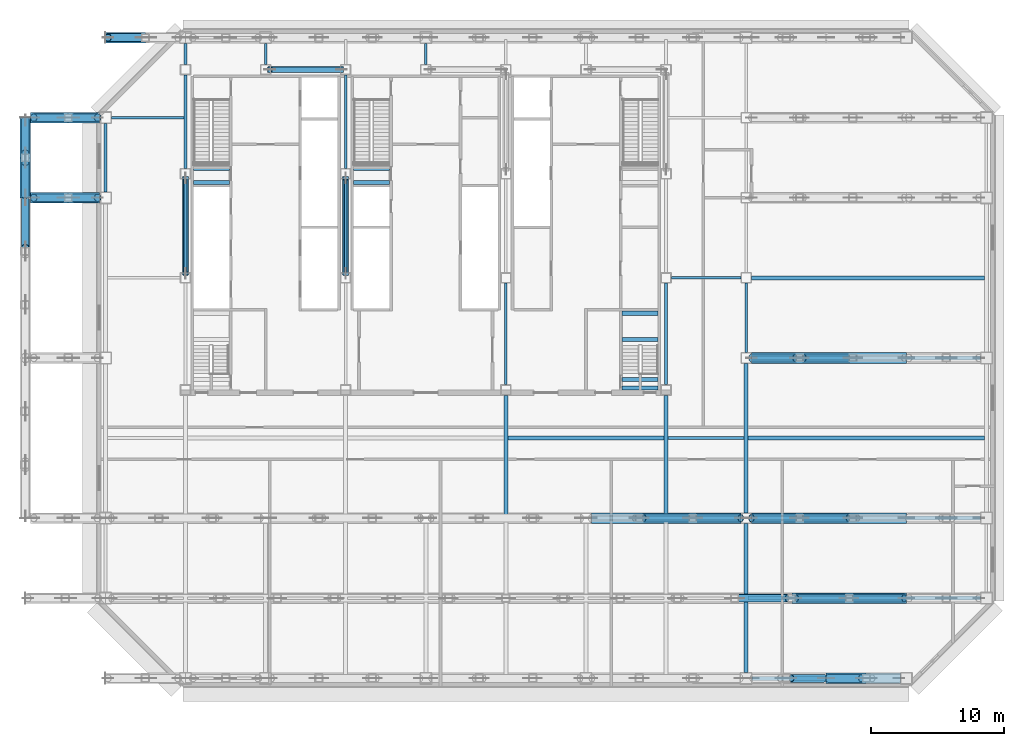
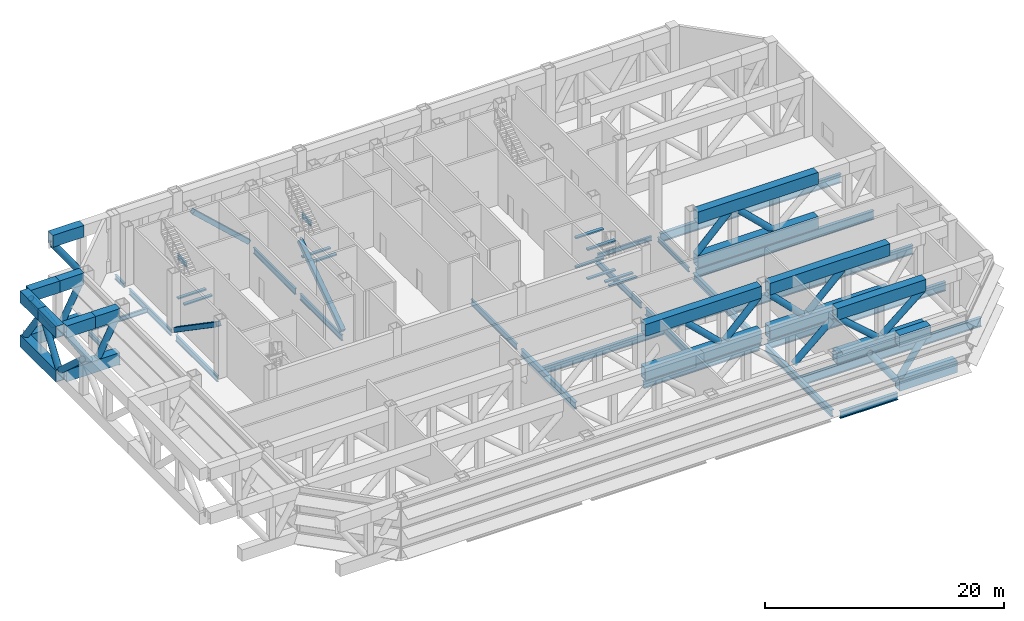
# One storey, part 3 of 17: 56 beams, 22 members.
"""IFC4 building model written with IfcOpenShell, lengths in metres."""

from ifc_helpers import new_model, si_unit, direction, frame, origin, origin_2d, place, context, subcontext, project, spatial, rectangle, hollow_rectangle, hollow_circle, i_section, extrude, material, material_profile, profile_set, type_object, element, save


model = new_model("IFC4")

# Units and contexts
model_context = context("Model", 3, precision=1e-05, world=origin(), true_north=direction((0.0, 1.0)))
body_context = subcontext(model_context, "Body", "Model", "MODEL_VIEW")
ifc_project = project(units=[si_unit("LENGTHUNIT", "METRE"), si_unit("AREAUNIT", "SQUARE_METRE"), si_unit("VOLUMEUNIT", "CUBIC_METRE"), si_unit("PLANEANGLEUNIT", "RADIAN"), si_unit("MASSUNIT", "GRAM", prefix="KILO")], contexts=[model_context])

# Site, building, storey
site_placement = place(None, origin())
site = spatial("IfcSite", under=ifc_project, at=site_placement, CompositionType="ELEMENT")
building_placement = place(site_placement, origin())
building = spatial("IfcBuilding", under=site, at=building_placement, Name="Sorahane Residences", CompositionType="ELEMENT")
storey_placement = place(building_placement, frame((0.0, 0.0, 90.199951171875)))
storey = spatial("IfcBuildingStorey", under=building, at=storey_placement, Name="L19", CompositionType="ELEMENT", Elevation=90.199951171875)

# Members
ifc_material_1 = material(Name="Steel Q355B", Category="steel")
ifc_material_profile_1 = material_profile(ifc_material_1, hollow_rectangle(XDim=0.449951171875, YDim=0.449951171875, WallThickness=0.02197265625, InnerFilletRadius=0.010986328125, OuterFilletRadius=0.032958984375, at=origin_2d()), Name="RHS 450x450x22")
ifc_profile_set_1 = profile_set([ifc_material_profile_1], Name="Steel Q355B")
member_type_1 = type_object("IfcMemberType", Name="Core brace RHS 450x450x22 Q355B", PredefinedType="BRACE", material=ifc_profile_set_1)
member_1_placement = place(storey_placement, frame((17.691650390625, 45.60009765625, 0.140625), z_axis=(-0.734817498487, 0.0, 0.678264877402), x_axis=(0.0, -1.0, 0.0)))
element("IfcMember", 1, at=member_1_placement, inside=storey, type_object=member_type_1, Name="Core brace L19 y45.6-2", PredefinedType="BRACE", context=body_context, shape_type="SweptSolid", body=[
    extrude(hollow_rectangle(XDim=0.449951171875, YDim=0.449951171875, WallThickness=0.02197265625, InnerFilletRadius=0.010986328125, OuterFilletRadius=0.032958984375, at=origin_2d()), origin(), (0.0, 0.0, 1.0), 7.325927734375),
])
for number, where, z_axis, x_axis, name in (
    (2, (6.0, 37.476318359375, 0.172607421875), (0.0, -0.824720598909, 0.565540390896), (1.0, 0.0, 0.0), "Core brace L19 x6-2"),
    (3, (18.0, 30.32373046875, 0.172607421875), (0.0, 0.824720598909, 0.565540390896), (-1.0, 0.0, 0.0), "Core brace L19 x18-1"),
):
    element("IfcMember", number, at=place(storey_placement, frame(where, z_axis=z_axis, x_axis=x_axis)), inside=storey, type_object=member_type_1, Name=name, PredefinedType="BRACE", context=body_context, shape_type="SweptSolid", body=[
        extrude(hollow_rectangle(XDim=0.449951171875, YDim=0.449951171875, WallThickness=0.02197265625, InnerFilletRadius=0.010986328125, OuterFilletRadius=0.032958984375, at=origin_2d()), origin(), (0.0, 0.0, 1.0), 8.6728515625),
    ])

# Beams
ifc_material_2 = material(Name="Concrete C40", Category="concrete")
ifc_material_profile_2 = material_profile(ifc_material_2, rectangle(XDim=0.300048828125, YDim=0.139892578125, at=origin_2d()), Name="300x140")
ifc_profile_set_2 = profile_set([ifc_material_profile_2], Name="Concrete C40")
beam_type_1 = type_object("IfcBeamType", Name="RC landing beam 300 x 140 Concrete C40", PredefinedType="BEAM", material=ifc_profile_set_2)
for number, where, z_axis, x_axis, name in (
    (4, (6.60009765625, 37.14990234375, 2.72998046875), (1.0, 0.0, 0.0), (0.0, 1.0, 0.0), "Landing beam"),
    (5, (6.60009765625, 38.18994140625, 2.72998046875), (1.0, 0.0, 0.0), (0.0, 1.0, 0.0), "Landing beam"),
    (6, (18.60009765625, 37.14990234375, 2.72998046875), (1.0, 0.0, 0.0), (0.0, 1.0, 0.0), "Landing beam"),
    (7, (18.60009765625, 38.18994140625, 2.72998046875), (1.0, 0.0, 0.0), (0.0, 1.0, 0.0), "Landing beam"),
    (8, (38.699951171875, 25.3798828125, 1.22998046875), (1.0, 0.0, 0.0), (0.0, 1.0, 0.0), "Landing beam"),
    (9, (38.699951171875, 27.35009765625, 1.22998046875), (1.0, 0.0, 0.0), (0.0, 1.0, 0.0), "Landing beam"),
    (10, (38.699951171875, 21.75, 2.72998046875), (1.0, 0.0, 0.0), (0.0, 1.0, 0.0), "Landing beam"),
    (11, (38.699951171875, 22.39990234375, 2.72998046875), (1.0, 0.0, 0.0), (0.0, 1.0, 0.0), "Landing beam"),
    (12, (38.699951171875, 25.3798828125, 4.22998046875), (1.0, 0.0, 0.0), (0.0, 1.0, 0.0), "Landing beam"),
    (13, (38.699951171875, 27.35009765625, 4.22998046875), (1.0, 0.0, 0.0), (0.0, 1.0, 0.0), "Landing beam"),
):
    element("IfcBeam", number, at=place(storey_placement, frame(where, z_axis=z_axis, x_axis=x_axis)), inside=storey, type_object=beam_type_1, Name=name, PredefinedType="BEAM", context=body_context, shape_type="SweptSolid", body=[
        extrude(rectangle(XDim=0.300048828125, YDim=0.139892578125, at=origin_2d()), origin(), (0.0, 0.0, 1.0), 2.699951171875),
    ])
ifc_material_3 = material(Name="Steel Q355B", Category="steel")
ifc_material_profile_3 = material_profile(ifc_material_3, i_section(OverallWidth=0.199951171875, OverallDepth=0.449951171875, WebThickness=0.009033203125, FlangeThickness=0.013916015625, FilletRadius=0.02001953125, at=origin_2d()), Name="HN 450x200x9x14")
ifc_profile_set_3 = profile_set([ifc_material_profile_3], Name="Steel Q355B")
beam_type_2 = type_object("IfcBeamType", Name="Steel floor beam HN 450x200x9x14 Q355B", PredefinedType="BEAM", material=ifc_profile_set_3)
beam_1_placement = place(storey_placement, frame((0.0, 36.449951171875, -0.52490234375), z_axis=(0.0, 1.0, 0.0), x_axis=(-1.0, 0.0, 0.0)))
element("IfcBeam", 14, at=beam_1_placement, inside=storey, type_object=beam_type_2, Name="Beam L19 020", PredefinedType="BEAM", context=body_context, shape_type="SweptSolid", body=[
    extrude(i_section(OverallWidth=0.199951171875, OverallDepth=0.449951171875, WebThickness=0.009033203125, FlangeThickness=0.013916015625, FilletRadius=0.02001953125, at=origin_2d()), origin(), (0.0, 0.0, 1.0), 5.10009765625),
])
for number, where, z_axis, x_axis, name in (
    (15, (6.0, 46.0, -0.52490234375), (0.0, 1.0, 0.0), (-1.0, 0.0, 0.0), "Beam L19 026"),
    (16, (12.0, 46.0, -0.52490234375), (0.0, 1.0, 0.0), (-1.0, 0.0, 0.0), "Beam L19 028"),
    (17, (24.0, 46.0, -0.52490234375), (0.0, 1.0, 0.0), (-1.0, 0.0, 0.0), "Beam L19 036"),
):
    element("IfcBeam", number, at=place(storey_placement, frame(where, z_axis=z_axis, x_axis=x_axis)), inside=storey, type_object=beam_type_2, Name=name, PredefinedType="BEAM", context=body_context, shape_type="SweptSolid", body=[
        extrude(i_section(OverallWidth=0.199951171875, OverallDepth=0.449951171875, WebThickness=0.009033203125, FlangeThickness=0.013916015625, FilletRadius=0.02001953125, at=origin_2d()), origin(), (0.0, 0.0, 1.0), 1.550048828125),
    ])
beam_2_placement = place(storey_placement, frame((48.0, 24.39990234375, -0.52490234375), z_axis=(0.0, 1.0, 0.0), x_axis=(-1.0, 0.0, 0.0)))
element("IfcBeam", 18, at=beam_2_placement, inside=storey, type_object=beam_type_2, Name="Beam L19 053", PredefinedType="BEAM", context=body_context, shape_type="SweptSolid", body=[
    extrude(i_section(OverallWidth=0.199951171875, OverallDepth=0.449951171875, WebThickness=0.009033203125, FlangeThickness=0.013916015625, FilletRadius=0.02001953125, at=origin_2d()), origin(), (0.0, 0.0, 1.0), 5.2001953125),
])
beam_3_placement = place(storey_placement, frame((42.14990234375, 18.0, -0.52490234375), z_axis=(1.0, 0.0, 0.0), x_axis=(0.0, 1.0, 0.0)))
element("IfcBeam", 19, at=beam_3_placement, inside=storey, type_object=beam_type_2, Name="Beam L19 074", PredefinedType="BEAM", context=body_context, shape_type="SweptSolid", body=[
    extrude(i_section(OverallWidth=0.199951171875, OverallDepth=0.449951171875, WebThickness=0.009033203125, FlangeThickness=0.013916015625, FilletRadius=0.02001953125, at=origin_2d()), origin(), (0.0, 0.0, 1.0), 5.7001953125),
])
beam_4_placement = place(storey_placement, frame((42.39990234375, 30.0, -0.52490234375), z_axis=(1.0, 0.0, 0.0), x_axis=(0.0, 1.0, 0.0)))
element("IfcBeam", 20, at=beam_4_placement, inside=storey, type_object=beam_type_2, Name="Beam L19 077", PredefinedType="BEAM", context=body_context, shape_type="SweptSolid", body=[
    extrude(i_section(OverallWidth=0.199951171875, OverallDepth=0.449951171875, WebThickness=0.009033203125, FlangeThickness=0.013916015625, FilletRadius=0.02001953125, at=origin_2d()), origin(), (0.0, 0.0, 1.0), 5.2001953125),
])
beam_5_placement = place(storey_placement, frame((0.449951171875, 42.0, -0.52490234375), z_axis=(1.0, 0.0, 0.0), x_axis=(0.0, 1.0, 0.0)))
element("IfcBeam", 21, at=beam_5_placement, inside=storey, type_object=beam_type_2, Name="Beam L19 079", PredefinedType="BEAM", context=body_context, shape_type="SweptSolid", body=[
    extrude(i_section(OverallWidth=0.199951171875, OverallDepth=0.449951171875, WebThickness=0.009033203125, FlangeThickness=0.013916015625, FilletRadius=0.02001953125, at=origin_2d()), origin(), (0.0, 0.0, 1.0), 5.449951171875),
])
ifc_material_4 = material(Name="Steel Q355B", Category="steel")
ifc_material_profile_4 = material_profile(ifc_material_4, i_section(OverallWidth=0.199951171875, OverallDepth=0.60009765625, WebThickness=0.010986328125, FlangeThickness=0.01708984375, FilletRadius=0.02392578125, at=origin_2d()), Name="HN 600x200x11x17")
ifc_profile_set_4 = profile_set([ifc_material_profile_4], Name="Steel Q355B")
beam_type_3 = type_object("IfcBeamType", Name="Steel floor beam HN 600x200x11x17 Q355B", PredefinedType="BEAM", material=ifc_profile_set_4)
for number, where, z_axis, x_axis, name in (
    (22, (6.0, 30.39990234375, -0.599853515625), (0.0, 1.0, 0.0), (-1.0, 0.0, 0.0), "Beam L19 024"),
    (23, (6.0, 38.199951171875, -0.599853515625), (0.0, 1.0, 0.0), (-1.0, 0.0, 0.0), "Beam L19 025"),
    (24, (18.0, 30.39990234375, -0.599853515625), (0.0, 1.0, 0.0), (-1.0, 0.0, 0.0), "Beam L19 032"),
    (25, (18.0, 38.199951171875, -0.599853515625), (0.0, 1.0, 0.0), (-1.0, 0.0, 0.0), "Beam L19 033"),
):
    element("IfcBeam", number, at=place(storey_placement, frame(where, z_axis=z_axis, x_axis=x_axis)), inside=storey, type_object=beam_type_3, Name=name, PredefinedType="BEAM", context=body_context, shape_type="SweptSolid", body=[
        extrude(i_section(OverallWidth=0.199951171875, OverallDepth=0.60009765625, WebThickness=0.010986328125, FlangeThickness=0.01708984375, FilletRadius=0.02392578125, at=origin_2d()), origin(), (0.0, 0.0, 1.0), 7.0),
    ])
for number, where, z_axis, x_axis, name in (
    (26, (30.0, 22.0, -0.599853515625), (0.0, 1.0, 0.0), (-1.0, 0.0, 0.0), "Beam L19 039"),
    (27, (42.0, 22.0, -0.599853515625), (0.0, 1.0, 0.0), (-1.0, 0.0, 0.0), "Beam L19 047"),
):
    element("IfcBeam", number, at=place(storey_placement, frame(where, z_axis=z_axis, x_axis=x_axis)), inside=storey, type_object=beam_type_3, Name=name, PredefinedType="BEAM", context=body_context, shape_type="SweptSolid", body=[
        extrude(i_section(OverallWidth=0.199951171875, OverallDepth=0.60009765625, WebThickness=0.010986328125, FlangeThickness=0.01708984375, FilletRadius=0.02392578125, at=origin_2d()), origin(), (0.0, 0.0, 1.0), 7.60009765625),
    ])
ifc_material_5 = material(Name="Steel Q355B", Category="steel")
ifc_material_profile_5 = material_profile(ifc_material_5, i_section(OverallWidth=0.300048828125, OverallDepth=0.699951171875, WebThickness=0.012939453125, FlangeThickness=0.02392578125, FilletRadius=0.028076171875, at=origin_2d()), Name="HN 700x300x13x24")
ifc_profile_set_5 = profile_set([ifc_material_profile_5], Name="Steel Q355B")
beam_type_4 = type_object("IfcBeamType", Name="Steel floor beam HN 700x300x13x24 Q355B", PredefinedType="BEAM", material=ifc_profile_set_5)
beam_6_placement = place(storey_placement, frame((48.449951171875, 0.0, -0.64990234375), z_axis=(1.0, 0.0, 0.0), x_axis=(0.0, 1.0, 0.0)))
element("IfcBeam", 28, at=beam_6_placement, inside=storey, type_object=beam_type_4, Name="Beam L19 004", PredefinedType="BEAM", context=body_context, shape_type="SweptSolid", body=[
    extrude(i_section(OverallWidth=0.300048828125, OverallDepth=0.699951171875, WebThickness=0.012939453125, FlangeThickness=0.02392578125, FilletRadius=0.028076171875, at=origin_2d()), origin(), (0.0, 0.0, 1.0), 5.550048828125),
])
beam_7_placement = place(storey_placement, frame((36.39990234375, 12.0, -0.64990234375), z_axis=(1.0, 0.0, 0.0), x_axis=(0.0, 1.0, 0.0)))
element("IfcBeam", 29, at=beam_7_placement, inside=storey, type_object=beam_type_4, Name="Beam L19 008", PredefinedType="BEAM", context=body_context, shape_type="SweptSolid", body=[
    extrude(i_section(OverallWidth=0.300048828125, OverallDepth=0.699951171875, WebThickness=0.012939453125, FlangeThickness=0.02392578125, FilletRadius=0.028076171875, at=origin_2d()), origin(), (0.0, 0.0, 1.0), 11.2001953125),
])
for number, where, z_axis, x_axis, name in (
    (30, (30.0, 12.14990234375, -0.64990234375), (0.0, 1.0, 0.0), (-1.0, 0.0, 0.0), "Beam L19 038"),
    (31, (42.0, 12.14990234375, -0.64990234375), (0.0, 1.0, 0.0), (-1.0, 0.0, 0.0), "Beam L19 046"),
):
    element("IfcBeam", number, at=place(storey_placement, frame(where, z_axis=z_axis, x_axis=x_axis)), inside=storey, type_object=beam_type_4, Name=name, PredefinedType="BEAM", context=body_context, shape_type="SweptSolid", body=[
        extrude(i_section(OverallWidth=0.300048828125, OverallDepth=0.699951171875, WebThickness=0.012939453125, FlangeThickness=0.02392578125, FilletRadius=0.028076171875, at=origin_2d()), origin(), (0.0, 0.0, 1.0), 9.050048828125),
    ])
beam_8_placement = place(storey_placement, frame((48.0, 0.449951171875, -0.64990234375), z_axis=(0.0, 1.0, 0.0), x_axis=(-1.0, 0.0, 0.0)))
element("IfcBeam", 32, at=beam_8_placement, inside=storey, type_object=beam_type_4, Name="Beam L19 051", PredefinedType="BEAM", context=body_context, shape_type="SweptSolid", body=[
    extrude(i_section(OverallWidth=0.300048828125, OverallDepth=0.699951171875, WebThickness=0.012939453125, FlangeThickness=0.02392578125, FilletRadius=0.028076171875, at=origin_2d()), origin(), (0.0, 0.0, 1.0), 11.150146484375),
])
beam_9_placement = place(storey_placement, frame((48.0, 12.39990234375, -0.64990234375), z_axis=(0.0, 1.0, 0.0), x_axis=(-1.0, 0.0, 0.0)))
element("IfcBeam", 33, at=beam_9_placement, inside=storey, type_object=beam_type_4, Name="Beam L19 052", PredefinedType="BEAM", context=body_context, shape_type="SweptSolid", body=[
    extrude(i_section(OverallWidth=0.300048828125, OverallDepth=0.699951171875, WebThickness=0.012939453125, FlangeThickness=0.02392578125, FilletRadius=0.028076171875, at=origin_2d()), origin(), (0.0, 0.0, 1.0), 11.2001953125),
])
beam_10_placement = place(storey_placement, frame((30.14990234375, 18.0, -0.64990234375), z_axis=(1.0, 0.0, 0.0), x_axis=(0.0, 1.0, 0.0)))
element("IfcBeam", 34, at=beam_10_placement, inside=storey, type_object=beam_type_4, Name="Beam L19 073", PredefinedType="BEAM", context=body_context, shape_type="SweptSolid", body=[
    extrude(i_section(OverallWidth=0.300048828125, OverallDepth=0.699951171875, WebThickness=0.012939453125, FlangeThickness=0.02392578125, FilletRadius=0.028076171875, at=origin_2d()), origin(), (0.0, 0.0, 1.0), 11.7001953125),
])
ifc_material_6 = material(Name="Steel Q355B", Category="steel")
ifc_material_profile_6 = material_profile(ifc_material_6, i_section(OverallWidth=0.300048828125, OverallDepth=0.89990234375, WebThickness=0.01611328125, FlangeThickness=0.028076171875, FilletRadius=0.028076171875, at=origin_2d()), Name="HN 900x300x16x28")
ifc_profile_set_6 = profile_set([ifc_material_profile_6], Name="Steel Q355B")
beam_type_5 = type_object("IfcBeamType", Name="Steel floor beam HN 900x300x16x28 Q355B", PredefinedType="BEAM", material=ifc_profile_set_6)
for number, where, z_axis, x_axis, name in (
    (35, (48.39990234375, 12.0, -0.75), (1.0, 0.0, 0.0), (0.0, 1.0, 0.0), "Beam L19 009"),
    (36, (48.39990234375, 24.0, -0.75), (1.0, 0.0, 0.0), (0.0, 1.0, 0.0), "Beam L19 010"),
):
    element("IfcBeam", number, at=place(storey_placement, frame(where, z_axis=z_axis, x_axis=x_axis)), inside=storey, type_object=beam_type_5, Name=name, PredefinedType="BEAM", context=body_context, shape_type="SweptSolid", body=[
        extrude(i_section(OverallWidth=0.300048828125, OverallDepth=0.89990234375, WebThickness=0.01611328125, FlangeThickness=0.028076171875, FilletRadius=0.028076171875, at=origin_2d()), origin(), (0.0, 0.0, 1.0), 17.150146484375),
    ])
beam_11_placement = place(storey_placement, frame((48.14990234375, 6.0, -0.75), z_axis=(1.0, 0.0, 0.0), x_axis=(0.0, 1.0, 0.0)))
element("IfcBeam", 37, at=beam_11_placement, inside=storey, type_object=beam_type_5, Name="Beam L19 069", PredefinedType="BEAM", context=body_context, shape_type="SweptSolid", body=[
    extrude(i_section(OverallWidth=0.300048828125, OverallDepth=0.89990234375, WebThickness=0.01611328125, FlangeThickness=0.028076171875, FilletRadius=0.028076171875, at=origin_2d()), origin(), (0.0, 0.0, 1.0), 17.400146484375),
])
beam_12_placement = place(storey_placement, frame((48.14990234375, 18.0, -0.75), z_axis=(1.0, 0.0, 0.0), x_axis=(0.0, 1.0, 0.0)))
element("IfcBeam", 38, at=beam_12_placement, inside=storey, type_object=beam_type_5, Name="Beam L19 075", PredefinedType="BEAM", context=body_context, shape_type="SweptSolid", body=[
    extrude(i_section(OverallWidth=0.300048828125, OverallDepth=0.89990234375, WebThickness=0.01611328125, FlangeThickness=0.028076171875, FilletRadius=0.028076171875, at=origin_2d()), origin(), (0.0, 0.0, 1.0), 17.7001953125),
])
beam_13_placement = place(storey_placement, frame((48.39990234375, 30.0, -0.75), z_axis=(1.0, 0.0, 0.0), x_axis=(0.0, 1.0, 0.0)))
element("IfcBeam", 39, at=beam_13_placement, inside=storey, type_object=beam_type_5, Name="Beam L19 078", PredefinedType="BEAM", context=body_context, shape_type="SweptSolid", body=[
    extrude(i_section(OverallWidth=0.300048828125, OverallDepth=0.89990234375, WebThickness=0.01611328125, FlangeThickness=0.028076171875, FilletRadius=0.028076171875, at=origin_2d()), origin(), (0.0, 0.0, 1.0), 17.4501953125),
])
ifc_material_7 = material(Name="Steel Q420GJ", Category="steel")
ifc_material_profile_7 = material_profile(ifc_material_7, hollow_rectangle(XDim=0.800048828125, YDim=1.199951171875, WallThickness=0.06005859375, at=origin_2d()), Name="BOX 1200x800x60")
ifc_profile_set_7 = profile_set([ifc_material_profile_7], Name="Steel Q420GJ")
beam_type_6 = type_object("IfcBeamType", Name="Truss chord BOX 1200x800x60 Q420GJ", PredefinedType="BEAM", material=ifc_profile_set_7)
beam_14_placement = place(storey_placement, frame((54.0, 0.0, 0.60009765625), z_axis=(1.0, 0.0, 0.0), x_axis=(0.0, 1.0, 0.0)))
element("IfcBeam", 40, at=beam_14_placement, inside=storey, type_object=beam_type_6, Name="Truss chord L19", PredefinedType="BEAM", context=body_context, shape_type="SweptSolid", body=[
    extrude(hollow_rectangle(XDim=0.800048828125, YDim=1.199951171875, WallThickness=0.06005859375, at=origin_2d()), origin(), (0.0, 0.0, 1.0), 5.550048828125),
])
beam_15_placement = place(storey_placement, frame((54.0, 0.0, 5.10009765625), z_axis=(1.0, 0.0, 0.0), x_axis=(0.0, 1.0, 0.0)))
element("IfcBeam", 41, at=beam_15_placement, inside=storey, type_object=beam_type_6, Name="Truss chord L19", PredefinedType="BEAM", context=body_context, shape_type="SweptSolid", body=[
    extrude(hollow_rectangle(XDim=0.800048828125, YDim=1.199951171875, WallThickness=0.06005859375, at=origin_2d()), origin(), (0.0, 0.0, 1.0), 3.0),
])
for number, where, z_axis, x_axis, name in (
    (42, (51.428466796875, 6.0, 0.60009765625), (1.0, 0.0, 0.0), (0.0, 1.0, 0.0), "Truss chord L19"),
    (43, (51.428466796875, 6.0, 5.10009765625), (1.0, 0.0, 0.0), (0.0, 1.0, 0.0), "Truss chord L19"),
):
    element("IfcBeam", number, at=place(storey_placement, frame(where, z_axis=z_axis, x_axis=x_axis)), inside=storey, type_object=beam_type_6, Name=name, PredefinedType="BEAM", context=body_context, shape_type="SweptSolid", body=[
        extrude(hollow_rectangle(XDim=0.800048828125, YDim=1.199951171875, WallThickness=0.06005859375, at=origin_2d()), origin(), (0.0, 0.0, 1.0), 8.571533203125),
    ])
beam_16_placement = place(storey_placement, frame((36.39990234375, 12.0, 0.60009765625), z_axis=(1.0, 0.0, 0.0), x_axis=(0.0, 1.0, 0.0)))
element("IfcBeam", 44, at=beam_16_placement, inside=storey, type_object=beam_type_6, Name="Truss chord L19", PredefinedType="BEAM", context=body_context, shape_type="SweptSolid", body=[
    extrude(hollow_rectangle(XDim=0.800048828125, YDim=1.199951171875, WallThickness=0.06005859375, at=origin_2d()), origin(), (0.0, 0.0, 1.0), 11.2001953125),
])
beam_17_placement = place(storey_placement, frame((48.39990234375, 12.0, 0.60009765625), z_axis=(1.0, 0.0, 0.0), x_axis=(0.0, 1.0, 0.0)))
element("IfcBeam", 45, at=beam_17_placement, inside=storey, type_object=beam_type_6, Name="Truss chord L19", PredefinedType="BEAM", context=body_context, shape_type="SweptSolid", body=[
    extrude(hollow_rectangle(XDim=0.800048828125, YDim=1.199951171875, WallThickness=0.06005859375, at=origin_2d()), origin(), (0.0, 0.0, 1.0), 11.60009765625),
])
beam_18_placement = place(storey_placement, frame((36.39990234375, 12.0, 5.10009765625), z_axis=(1.0, 0.0, 0.0), x_axis=(0.0, 1.0, 0.0)))
element("IfcBeam", 46, at=beam_18_placement, inside=storey, type_object=beam_type_6, Name="Truss chord L19", PredefinedType="BEAM", context=body_context, shape_type="SweptSolid", body=[
    extrude(hollow_rectangle(XDim=0.800048828125, YDim=1.199951171875, WallThickness=0.06005859375, at=origin_2d()), origin(), (0.0, 0.0, 1.0), 11.2001953125),
])
for number, where, z_axis, x_axis, name in (
    (47, (48.39990234375, 12.0, 5.10009765625), (1.0, 0.0, 0.0), (0.0, 1.0, 0.0), "Truss chord L19"),
    (48, (48.39990234375, 24.0, 0.60009765625), (1.0, 0.0, 0.0), (0.0, 1.0, 0.0), "Truss chord L19"),
    (49, (48.39990234375, 24.0, 5.10009765625), (1.0, 0.0, 0.0), (0.0, 1.0, 0.0), "Truss chord L19"),
):
    element("IfcBeam", number, at=place(storey_placement, frame(where, z_axis=z_axis, x_axis=x_axis)), inside=storey, type_object=beam_type_6, Name=name, PredefinedType="BEAM", context=body_context, shape_type="SweptSolid", body=[
        extrude(hollow_rectangle(XDim=0.800048828125, YDim=1.199951171875, WallThickness=0.06005859375, at=origin_2d()), origin(), (0.0, 0.0, 1.0), 11.60009765625),
    ])
beam_19_placement = place(storey_placement, frame((-5.60009765625, 36.0, 0.60009765625), z_axis=(1.0, 0.0, 0.0), x_axis=(0.0, 1.0, 0.0)))
element("IfcBeam", 50, at=beam_19_placement, inside=storey, type_object=beam_type_6, Name="Truss chord L19", PredefinedType="BEAM", context=body_context, shape_type="SweptSolid", body=[
    extrude(hollow_rectangle(XDim=0.800048828125, YDim=1.199951171875, WallThickness=0.06005859375, at=origin_2d()), origin(), (0.0, 0.0, 1.0), 5.150146484375),
])
beam_20_placement = place(storey_placement, frame((-5.60009765625, 36.0, 5.10009765625), z_axis=(1.0, 0.0, 0.0), x_axis=(0.0, 1.0, 0.0)))
element("IfcBeam", 51, at=beam_20_placement, inside=storey, type_object=beam_type_6, Name="Truss chord L19", PredefinedType="BEAM", context=body_context, shape_type="SweptSolid", body=[
    extrude(hollow_rectangle(XDim=0.800048828125, YDim=1.199951171875, WallThickness=0.06005859375, at=origin_2d()), origin(), (0.0, 0.0, 1.0), 2.800048828125),
])
beam_21_placement = place(storey_placement, frame((-2.800048828125, 36.0, 5.10009765625), z_axis=(1.0, 0.0, 0.0), x_axis=(0.0, 1.0, 0.0)))
element("IfcBeam", 52, at=beam_21_placement, inside=storey, type_object=beam_type_6, Name="Truss chord L19", PredefinedType="BEAM", context=body_context, shape_type="SweptSolid", body=[
    extrude(hollow_rectangle(XDim=0.800048828125, YDim=1.199951171875, WallThickness=0.06005859375, at=origin_2d()), origin(), (0.0, 0.0, 1.0), 2.35009765625),
])
beam_22_placement = place(storey_placement, frame((-5.60009765625, 42.0, 0.60009765625), z_axis=(1.0, 0.0, 0.0), x_axis=(0.0, 1.0, 0.0)))
element("IfcBeam", 53, at=beam_22_placement, inside=storey, type_object=beam_type_6, Name="Truss chord L19", PredefinedType="BEAM", context=body_context, shape_type="SweptSolid", body=[
    extrude(hollow_rectangle(XDim=0.800048828125, YDim=1.199951171875, WallThickness=0.06005859375, at=origin_2d()), origin(), (0.0, 0.0, 1.0), 5.150146484375),
])
beam_23_placement = place(storey_placement, frame((-5.60009765625, 42.0, 5.10009765625), z_axis=(1.0, 0.0, 0.0), x_axis=(0.0, 1.0, 0.0)))
element("IfcBeam", 54, at=beam_23_placement, inside=storey, type_object=beam_type_6, Name="Truss chord L19", PredefinedType="BEAM", context=body_context, shape_type="SweptSolid", body=[
    extrude(hollow_rectangle(XDim=0.800048828125, YDim=1.199951171875, WallThickness=0.06005859375, at=origin_2d()), origin(), (0.0, 0.0, 1.0), 2.800048828125),
])
beam_24_placement = place(storey_placement, frame((-2.800048828125, 42.0, 5.10009765625), z_axis=(1.0, 0.0, 0.0), x_axis=(0.0, 1.0, 0.0)))
element("IfcBeam", 55, at=beam_24_placement, inside=storey, type_object=beam_type_6, Name="Truss chord L19", PredefinedType="BEAM", context=body_context, shape_type="SweptSolid", body=[
    extrude(hollow_rectangle(XDim=0.800048828125, YDim=1.199951171875, WallThickness=0.06005859375, at=origin_2d()), origin(), (0.0, 0.0, 1.0), 2.35009765625),
])
beam_25_placement = place(storey_placement, frame((0.0, 48.0, 5.10009765625), z_axis=(1.0, 0.0, 0.0), x_axis=(0.0, 1.0, 0.0)))
element("IfcBeam", 56, at=beam_25_placement, inside=storey, type_object=beam_type_6, Name="Truss chord L19", PredefinedType="BEAM", context=body_context, shape_type="SweptSolid", body=[
    extrude(hollow_rectangle(XDim=0.800048828125, YDim=1.199951171875, WallThickness=0.06005859375, at=origin_2d()), origin(), (0.0, 0.0, 1.0), 3.0),
])
beam_26_placement = place(storey_placement, frame((-6.0, 36.0, 0.60009765625), z_axis=(0.0, 1.0, 0.0), x_axis=(-1.0, 0.0, 0.0)))
element("IfcBeam", 57, at=beam_26_placement, inside=storey, type_object=beam_type_6, Name="Truss chord L19", PredefinedType="BEAM", context=body_context, shape_type="SweptSolid", body=[
    extrude(hollow_rectangle(XDim=0.800048828125, YDim=1.199951171875, WallThickness=0.06005859375, at=origin_2d()), origin(), (0.0, 0.0, 1.0), 6.0),
])
for number, where, z_axis, x_axis, name in (
    (58, (-6.0, 36.0, 5.10009765625), (0.0, 1.0, 0.0), (-1.0, 0.0, 0.0), "Truss chord L19"),
    (59, (-6.0, 39.0, 5.10009765625), (0.0, 1.0, 0.0), (-1.0, 0.0, 0.0), "Truss chord L19"),
):
    element("IfcBeam", number, at=place(storey_placement, frame(where, z_axis=z_axis, x_axis=x_axis)), inside=storey, type_object=beam_type_6, Name=name, PredefinedType="BEAM", context=body_context, shape_type="SweptSolid", body=[
        extrude(hollow_rectangle(XDim=0.800048828125, YDim=1.199951171875, WallThickness=0.06005859375, at=origin_2d()), origin(), (0.0, 0.0, 1.0), 3.0),
    ])

# Members
ifc_material_8 = material(Name="Steel Q420GJ", Category="steel")
ifc_material_profile_8 = material_profile(ifc_material_8, hollow_circle(Radius=0.300048828125, WallThickness=0.031982421875, at=origin_2d()), Name="CHS 600x32")
ifc_profile_set_8 = profile_set([ifc_material_profile_8], Name="Steel Q420GJ")
member_type_2 = type_object("IfcMemberType", Name="Truss diagonal CHS 600x32 Q420GJ", PredefinedType="BRACE", material=ifc_profile_set_8)
for number, where, z_axis, x_axis, name in (
    (60, (51.3427734375, 0.0, 4.591796875), (0.577579121022, 0.0, -0.816334710128), (0.0, 1.0, 0.0), "Truss diagonal L19"),
    (61, (54.192626953125, 0.0, 1.1083984375), (0.577579121022, 0.0, 0.816334710128), (0.0, 1.0, 0.0), "Truss diagonal L19"),
):
    element("IfcMember", number, at=place(storey_placement, frame(where, z_axis=z_axis, x_axis=x_axis)), inside=storey, type_object=member_type_2, Name=name, PredefinedType="BRACE", context=body_context, shape_type="SweptSolid", body=[
        extrude(hollow_circle(Radius=0.300048828125, WallThickness=0.031982421875, at=origin_2d()), origin(), (0.0, 0.0, 1.0), 4.26708984375),
    ])
for number, where, z_axis, x_axis, name in (
    (62, (47.44287109375, 6.0, 1.249755859375), (0.755071561064, 0.0, 0.655642385506), (0.0, 1.0, 0.0), "Truss diagonal L19"),
    (63, (51.728515625, 6.0, 4.4501953125), (0.755071561064, 0.0, -0.655642385506), (0.0, 1.0, 0.0), "Truss diagonal L19"),
):
    element("IfcMember", number, at=place(storey_placement, frame(where, z_axis=z_axis, x_axis=x_axis)), inside=storey, type_object=member_type_2, Name=name, PredefinedType="BRACE", context=body_context, shape_type="SweptSolid", body=[
        extrude(hollow_circle(Radius=0.300048828125, WallThickness=0.031982421875, at=origin_2d()), origin(), (0.0, 0.0, 1.0), 4.88134765625),
    ])
member_2_placement = place(storey_placement, frame((56.014404296875, 6.0, 1.265869140625), z_axis=(0.770977465608, 0.0, 0.636862424331), x_axis=(0.0, 1.0, 0.0)))
element("IfcMember", 64, at=member_2_placement, inside=storey, type_object=member_type_2, Name="Truss diagonal L19", PredefinedType="BRACE", context=body_context, shape_type="SweptSolid", body=[
    extrude(hollow_circle(Radius=0.300048828125, WallThickness=0.031982421875, at=origin_2d()), origin(), (0.0, 0.0, 1.0), 4.97509765625),
])
member_3_placement = place(storey_placement, frame((40.300048828125, 12.0, 4.48583984375), z_axis=(0.72058444139, 0.0, -0.693367191917), x_axis=(0.0, 1.0, 0.0)))
element("IfcMember", 65, at=member_3_placement, inside=storey, type_object=member_type_2, Name="Truss diagonal L19", PredefinedType="BRACE", context=body_context, shape_type="SweptSolid", body=[
    extrude(hollow_circle(Radius=0.300048828125, WallThickness=0.031982421875, at=origin_2d()), origin(), (0.0, 0.0, 1.0), 4.71826171875),
])
for number, where, z_axis, x_axis, name in (
    (66, (44.300048828125, 12.0, 1.199951171875), (0.707106781187, 0.0, 0.707106781187), (0.0, 1.0, 0.0), "Truss diagonal L19"),
    (67, (48.39990234375, 12.0, 4.5), (0.707106781187, 0.0, -0.707106781187), (0.0, 1.0, 0.0), "Truss diagonal L19"),
):
    element("IfcMember", number, at=place(storey_placement, frame(where, z_axis=z_axis, x_axis=x_axis)), inside=storey, type_object=member_type_2, Name=name, PredefinedType="BRACE", context=body_context, shape_type="SweptSolid", body=[
        extrude(hollow_circle(Radius=0.300048828125, WallThickness=0.031982421875, at=origin_2d()), origin(), (0.0, 0.0, 1.0), 4.6669921875),
    ])
member_4_placement = place(storey_placement, frame((52.300048828125, 12.0, 1.21435546875), z_axis=(0.72058444139, 0.0, 0.693367191917), x_axis=(0.0, 1.0, 0.0)))
element("IfcMember", 68, at=member_4_placement, inside=storey, type_object=member_type_2, Name="Truss diagonal L19", PredefinedType="BRACE", context=body_context, shape_type="SweptSolid", body=[
    extrude(hollow_circle(Radius=0.300048828125, WallThickness=0.031982421875, at=origin_2d()), origin(), (0.0, 0.0, 1.0), 4.71826171875),
])
member_5_placement = place(storey_placement, frame((48.39990234375, 24.0, 1.199951171875), z_axis=(0.707106781187, 0.0, 0.707106781187), x_axis=(0.0, 1.0, 0.0)))
element("IfcMember", 69, at=member_5_placement, inside=storey, type_object=member_type_2, Name="Truss diagonal L19", PredefinedType="BRACE", context=body_context, shape_type="SweptSolid", body=[
    extrude(hollow_circle(Radius=0.300048828125, WallThickness=0.031982421875, at=origin_2d()), origin(), (0.0, 0.0, 1.0), 4.6669921875),
])
member_6_placement = place(storey_placement, frame((52.300048828125, 24.0, 4.48583984375), z_axis=(0.72058444139, 0.0, -0.693367191917), x_axis=(0.0, 1.0, 0.0)))
element("IfcMember", 70, at=member_6_placement, inside=storey, type_object=member_type_2, Name="Truss diagonal L19", PredefinedType="BRACE", context=body_context, shape_type="SweptSolid", body=[
    extrude(hollow_circle(Radius=0.300048828125, WallThickness=0.031982421875, at=origin_2d()), origin(), (0.0, 0.0, 1.0), 4.71826171875),
])
member_7_placement = place(storey_placement, frame((-5.3701171875, 36.0, 4.587158203125), z_axis=(0.533339762033, 0.0, -0.845901116109), x_axis=(0.0, 1.0, 0.0)))
element("IfcMember", 71, at=member_7_placement, inside=storey, type_object=member_type_2, Name="Truss diagonal L19", PredefinedType="BRACE", context=body_context, shape_type="SweptSolid", body=[
    extrude(hollow_circle(Radius=0.300048828125, WallThickness=0.031982421875, at=origin_2d()), origin(), (0.0, 0.0, 1.0), 4.10693359375),
])
member_8_placement = place(storey_placement, frame((-2.36767578125, 36.0, 1.120849609375), z_axis=(0.458743583588, 0.0, 0.888568694315), x_axis=(0.0, 1.0, 0.0)))
element("IfcMember", 72, at=member_8_placement, inside=storey, type_object=member_type_2, Name="Truss diagonal L19", PredefinedType="BRACE", context=body_context, shape_type="SweptSolid", body=[
    extrude(hollow_circle(Radius=0.300048828125, WallThickness=0.031982421875, at=origin_2d()), origin(), (0.0, 0.0, 1.0), 3.891845703125),
])
member_9_placement = place(storey_placement, frame((-5.3701171875, 42.0, 4.587158203125), z_axis=(0.533339762033, 0.0, -0.845901116109), x_axis=(0.0, 1.0, 0.0)))
element("IfcMember", 73, at=member_9_placement, inside=storey, type_object=member_type_2, Name="Truss diagonal L19", PredefinedType="BRACE", context=body_context, shape_type="SweptSolid", body=[
    extrude(hollow_circle(Radius=0.300048828125, WallThickness=0.031982421875, at=origin_2d()), origin(), (0.0, 0.0, 1.0), 4.10693359375),
])
member_10_placement = place(storey_placement, frame((-2.36767578125, 42.0, 1.120849609375), z_axis=(0.458743583588, 0.0, 0.888568694315), x_axis=(0.0, 1.0, 0.0)))
element("IfcMember", 74, at=member_10_placement, inside=storey, type_object=member_type_2, Name="Truss diagonal L19", PredefinedType="BRACE", context=body_context, shape_type="SweptSolid", body=[
    extrude(hollow_circle(Radius=0.300048828125, WallThickness=0.031982421875, at=origin_2d()), origin(), (0.0, 0.0, 1.0), 3.891845703125),
])
member_11_placement = place(storey_placement, frame((0.192626953125, 48.0, 4.591796875), z_axis=(0.577579121022, 0.0, -0.816334710128), x_axis=(0.0, 1.0, 0.0)))
element("IfcMember", 75, at=member_11_placement, inside=storey, type_object=member_type_2, Name="Truss diagonal L19", PredefinedType="BRACE", context=body_context, shape_type="SweptSolid", body=[
    extrude(hollow_circle(Radius=0.300048828125, WallThickness=0.031982421875, at=origin_2d()), origin(), (0.0, 0.0, 1.0), 4.26708984375),
])
member_12_placement = place(storey_placement, frame((-6.0, 32.300048828125, 4.46630859375), z_axis=(0.0, 0.739410635701, -0.673254715403), x_axis=(-1.0, 0.0, 0.0)))
element("IfcMember", 76, at=member_12_placement, inside=storey, type_object=member_type_2, Name="Truss diagonal L19", PredefinedType="BRACE", context=body_context, shape_type="SweptSolid", body=[
    extrude(hollow_circle(Radius=0.300048828125, WallThickness=0.031982421875, at=origin_2d()), origin(), (0.0, 0.0, 1.0), 4.80126953125),
])
for number, where, z_axis, x_axis, name in (
    (77, (-6.0, 36.192626953125, 1.1083984375), (0.0, 0.577579121022, 0.816334710128), (-1.0, 0.0, 0.0), "Truss diagonal L19"),
    (78, (-6.0, 39.3427734375, 4.591796875), (0.0, 0.577579121022, -0.816334710128), (-1.0, 0.0, 0.0), "Truss diagonal L19"),
):
    element("IfcMember", number, at=place(storey_placement, frame(where, z_axis=z_axis, x_axis=x_axis)), inside=storey, type_object=member_type_2, Name=name, PredefinedType="BRACE", context=body_context, shape_type="SweptSolid", body=[
        extrude(hollow_circle(Radius=0.300048828125, WallThickness=0.031982421875, at=origin_2d()), origin(), (0.0, 0.0, 1.0), 4.26708984375),
    ])

save(model, "model.ifc")
